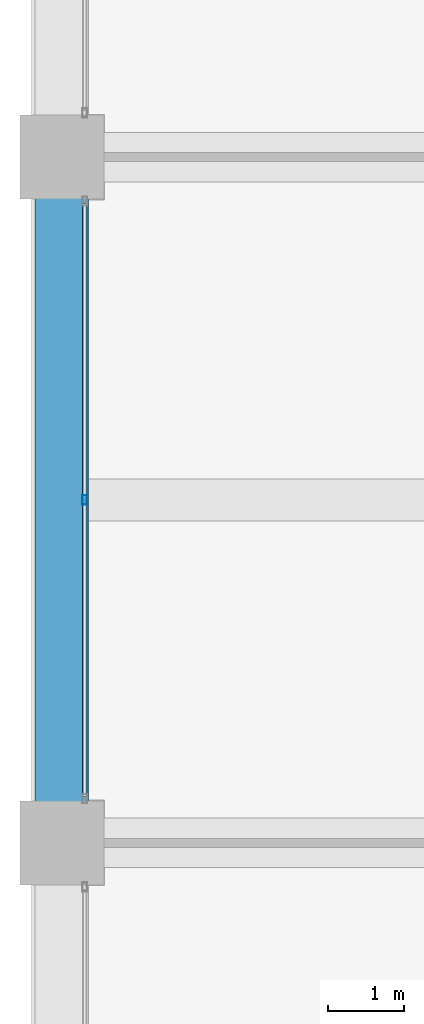
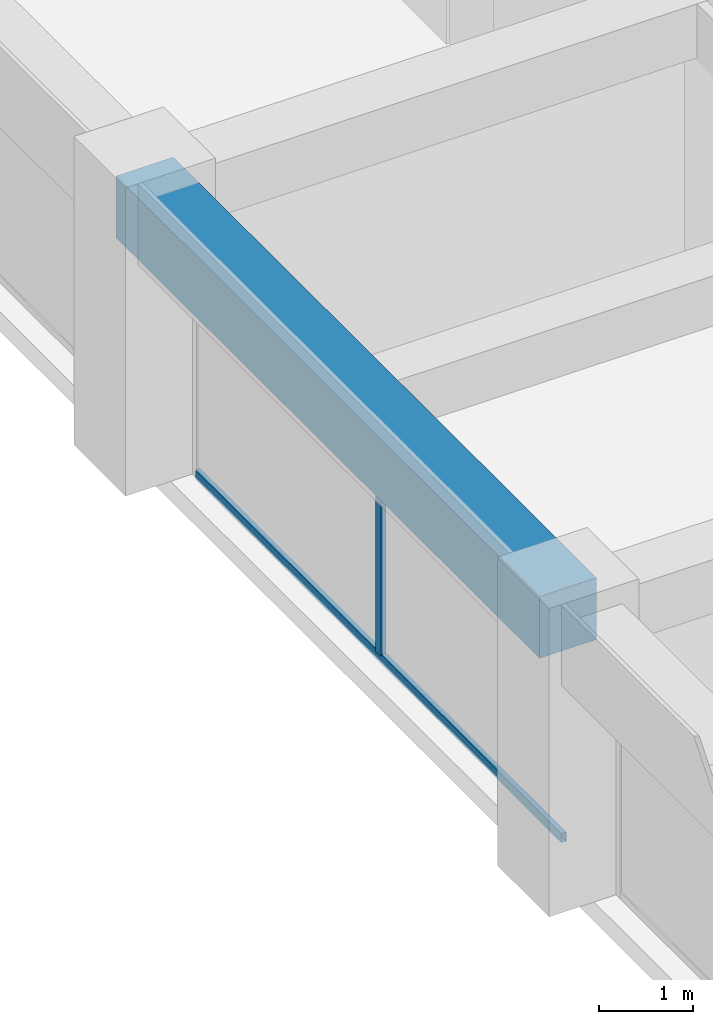
# One storey, part 14 of 44: 2 members, 1 beam, 1 element without a shape of its own.
"""IFC4 building model written with IfcOpenShell, lengths in metres."""

from ifc_helpers import new_model, si_unit, direction, frame, origin, origin_2d, place, context, subcontext, project, spatial, rectangle, hollow_rectangle, extrude, material, material_profile, profile_set, type_object, element, aggregate, save


model = new_model("IFC4")

# Units and contexts
model_context = context("Model", 3, precision=1e-05, world=origin(), true_north=direction((0.0, 1.0)))
body_context = subcontext(model_context, "Body", "Model", "MODEL_VIEW")
ifc_project = project(units=[si_unit("LENGTHUNIT", "METRE"), si_unit("AREAUNIT", "SQUARE_METRE"), si_unit("VOLUMEUNIT", "CUBIC_METRE"), si_unit("PLANEANGLEUNIT", "RADIAN"), si_unit("MASSUNIT", "GRAM", prefix="KILO")], contexts=[model_context])

# Site, building, storey
site_placement = place(None, origin())
site = spatial("IfcSite", under=ifc_project, at=site_placement, CompositionType="ELEMENT")
building_placement = place(site_placement, origin())
building = spatial("IfcBuilding", under=site, at=building_placement, Name="Zorevar Civic Tower", CompositionType="ELEMENT")
storey_placement = place(building_placement, frame((0.0, 0.0, 295.39990234375)))
storey = spatial("IfcBuildingStorey", under=building, at=storey_placement, Name="L72", CompositionType="ELEMENT", Elevation=295.39990234375)

# Curtain wall, members
ifc_material_1 = material(Name="Dark grey solar-control glass in black aluminium frame", Category="aluminium")
curtain_wall_type = type_object("IfcCurtainWallType", Name="Curtain wall CW5 top zone", PredefinedType="NOTDEFINED", material=ifc_material_1)
curtain_wall_placement = place(storey_placement, origin())
curtain_wall = element("IfcCurtainWall", 1, at=curtain_wall_placement, inside=storey, type_object=curtain_wall_type, Name="CW5 L72", PredefinedType="NOTDEFINED")
ifc_material_2 = material(Name="Aluminium, black anodised", Category="aluminium")
ifc_material_profile_1 = material_profile(ifc_material_2, hollow_rectangle(XDim=0.06005859375, YDim=0.1201171875, WallThickness=0.0029296875, at=origin_2d()), Name="AL 120x60x3")
ifc_profile_set_1 = profile_set([ifc_material_profile_1], Name="Aluminium, black anodised")
member_type_1 = type_object("IfcMemberType", Name="CW5 mullion AL 120x60x3", PredefinedType="MULLION", material=ifc_profile_set_1)
member_1_placement = place(storey_placement, frame((9.300048828125, 22.5, 0.06005859375), z_axis=(0.0, 0.0, 1.0), x_axis=(-1.0, 0.0, 0.0)))
member_1 = element("IfcMember", 2, at=member_1_placement, type_object=member_type_1, Name="CW5 mullion 2", PredefinedType="MULLION", context=body_context, shape_type="SweptSolid", body=[
    extrude(hollow_rectangle(XDim=0.06005859375, YDim=0.1201171875, WallThickness=0.0029296875, at=origin_2d()), origin(), (0.0, 0.0, 1.0), 2.89013671875),
])
ifc_material_3 = material(Name="Aluminium, black anodised", Category="aluminium")
ifc_material_profile_2 = material_profile(ifc_material_3, hollow_rectangle(XDim=0.06005859375, YDim=0.1201171875, WallThickness=0.0029296875, at=origin_2d()), Name="AL 120x60x3")
ifc_profile_set_2 = profile_set([ifc_material_profile_2], Name="Aluminium, black anodised")
member_type_2 = type_object("IfcMemberType", Name="CW5 transom AL 120x60x3", PredefinedType="USERDEFINED", material=ifc_profile_set_2)
member_2_placement = place(storey_placement, frame((9.300048828125, 18.610107421875, 0.030029296875), z_axis=(0.0, 1.0, 0.0), x_axis=(-1.0, 0.0, 0.0)))
member_2 = element("IfcMember", 3, at=member_2_placement, type_object=member_type_2, Name="CW5 sill transom", ObjectType="TRANSOM", PredefinedType="USERDEFINED", context=body_context, shape_type="SweptSolid", body=[
    extrude(hollow_rectangle(XDim=0.06005859375, YDim=0.1201171875, WallThickness=0.0029296875, at=origin_2d()), origin(), (0.0, 0.0, 1.0), 7.77978515625),
])
aggregate(curtain_wall, [member_1, member_2])

# Beam
ifc_material_4 = material(Name="Concrete C50/60", Category="concrete")
ifc_material_profile_3 = material_profile(ifc_material_4, rectangle(XDim=0.699951171875, YDim=0.800048828125, at=origin_2d()), Name="RC 700x800")
ifc_profile_set_3 = profile_set([ifc_material_profile_3], Name="Concrete C50/60")
beam_type = type_object("IfcBeamType", Name="Edge beam RC 700x800", PredefinedType="SPANDREL", material=ifc_profile_set_3)
beam_placement = place(storey_placement, frame((9.0, 18.0, 3.35009765625), z_axis=(0.0, 1.0, 0.0), x_axis=(-1.0, 0.0, 0.0)))
element("IfcBeam", 4, at=beam_placement, inside=storey, type_object=beam_type, Name="Edge beam L73", PredefinedType="SPANDREL", context=body_context, shape_type="SweptSolid", body=[
    extrude(rectangle(XDim=0.699951171875, YDim=0.800048828125, at=origin_2d()), origin(), (0.0, 0.0, 1.0), 9.0),
])

save(model, "model.ifc")
